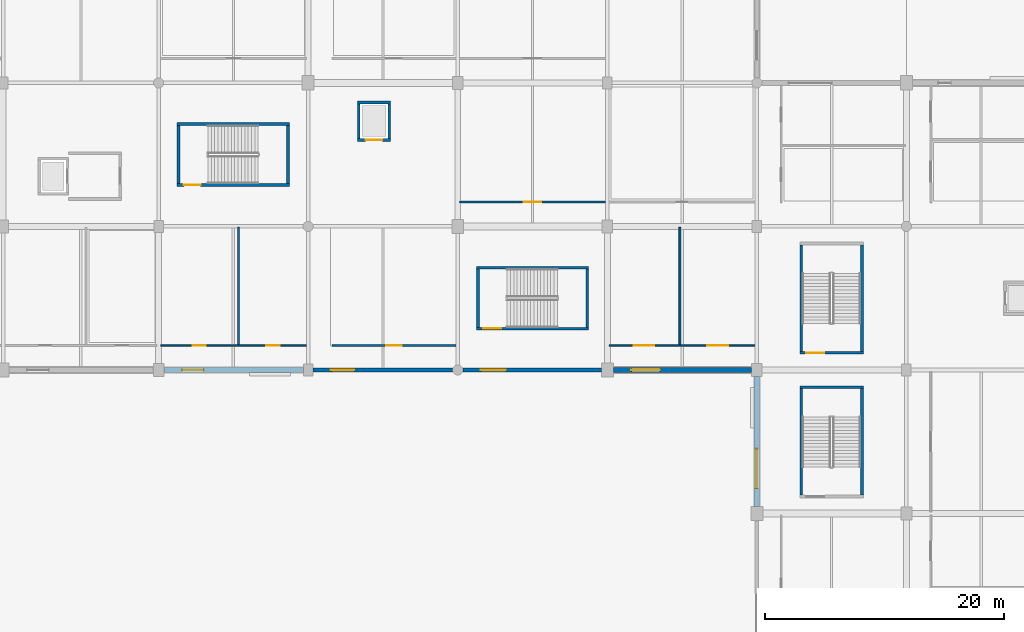
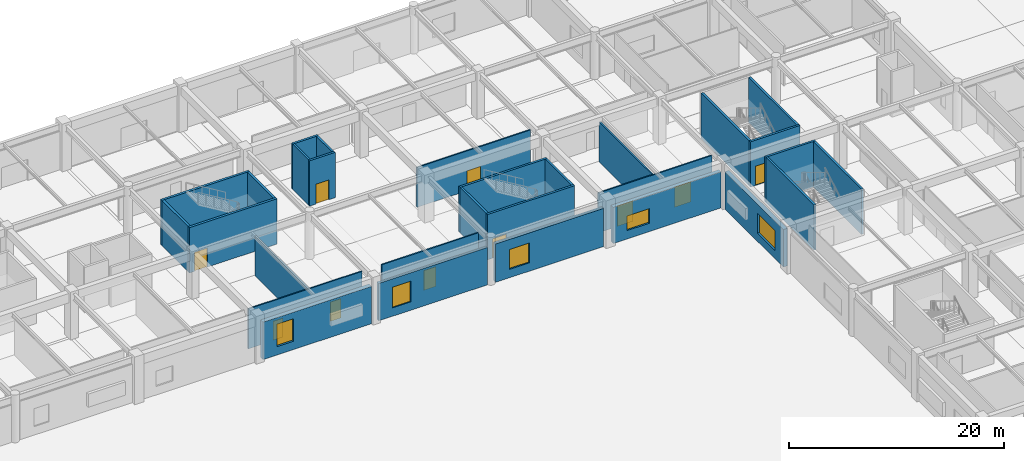
# One storey, part 32 of 69: 29 walls, 10 doors, 5 windows, 15 openings.
"""IFC4 building model written with IfcOpenShell, lengths in metres."""

from ifc_helpers import new_model, si_unit, direction, frame, frame_2d, origin, place, context, subcontext, project, spatial, rectangle, extrude, material, layer, layer_set, type_object, element, fill, save


model = new_model("IFC4")

# Units and contexts
model_context = context("Model", 3, precision=1e-05, world=origin(), true_north=direction((0.0, 1.0)))
body_context = subcontext(model_context, "Body", "Model", "MODEL_VIEW")
ifc_project = project(units=[si_unit("LENGTHUNIT", "METRE"), si_unit("AREAUNIT", "SQUARE_METRE"), si_unit("VOLUMEUNIT", "CUBIC_METRE"), si_unit("PLANEANGLEUNIT", "RADIAN"), si_unit("MASSUNIT", "GRAM", prefix="KILO")], contexts=[model_context])

# Site, building, storey
site_placement = place(None, origin())
site = spatial("IfcSite", under=ifc_project, at=site_placement, CompositionType="ELEMENT")
building_placement = place(site_placement, origin())
building = spatial("IfcBuilding", under=site, at=building_placement, Name="Kazenohara Klinker Stadium", CompositionType="ELEMENT")
storey_placement = place(building_placement, origin())
storey = spatial("IfcBuildingStorey", under=building, at=storey_placement, Name="L00", CompositionType="ELEMENT", Elevation=0.0)

# Wall, opening, door
ifc_material_1 = material(Name="Concrete C40/50", Category="concrete")
ifc_layer_1 = layer(ifc_material_1, 0.22998046875)
ifc_layer_set_1 = layer_set([ifc_layer_1], Name="Concrete C40/50")
wall_type_1 = type_object("IfcWallType", Name="WAL-CORE-230", PredefinedType="SHEAR", material=ifc_layer_set_1)
wall_1_placement = place(storey_placement, frame((178.590087890625, 133.43505859375, 0.0), z_axis=(0.0, 0.0, 1.0), x_axis=(1.0, 0.0, 0.0)))
wall_1 = element("IfcWall", 1, at=wall_1_placement, inside=storey, type_object=wall_type_1, Name="Stairwell shear wall ST12 L00 South", PredefinedType="SHEAR", context=body_context, shape_type="SweptSolid", body=[
    extrude(rectangle(XDim=5.31982421875, YDim=0.22998046875, at=frame_2d((2.659912109375, 0.0))), origin(), (0.0, 0.0, 1.0), 5.139892578125),
])
opening_1_placement = place(wall_1_placement, frame((0.550048828125, 0.0, 0.0)))
opening_1 = element("IfcOpeningElement", 2, at=opening_1_placement, cuts=wall_1, Name="Opening SD02", PredefinedType="OPENING", context=body_context, shape_type="SweptSolid", body=[
    extrude(rectangle(XDim=1.5, YDim=2.199951171875, at=frame_2d((0.75, 1.10009765625))), frame((0.0, 0.125, 0.0), z_axis=(0.0, -1.0, 0.0), x_axis=(1.0, 0.0, 0.0)), (0.0, 0.0, 1.0), 0.25),
])
ifc_material_2 = material(Name="Flush painted steel fire door leaf", Category="steel")
door_type_1 = type_object("IfcDoorType", Name="DR-STR-1500x2200", OperationType="NOTDEFINED", PredefinedType="DOOR", material=ifc_material_2)
door_1_placement = place(opening_1_placement, origin())
door_1 = element("IfcDoor", 3, at=door_1_placement, inside=storey, type_object=door_type_1, Name="Escape stairwell fire door ST12-L00", OperationType="SINGLE_SWING_LEFT", OverallHeight=2.199951171875, OverallWidth=1.5, PredefinedType="DOOR", context=body_context, shape_type="SweptSolid", body=[
    extrude(rectangle(XDim=1.5, YDim=2.199951171875, at=frame_2d((0.75, 1.10009765625))), frame((0.0, 0.02490234375, 0.0), z_axis=(0.0, -1.0, 0.0), x_axis=(1.0, 0.0, 0.0)), (0.0, 0.0, 1.0), 0.050048828125),
])
fill(opening_1, door_1)

# Walls
for number, where, z_axis, x_axis, name in (
    (4, (178.705078125, 133.550048828125, 0.0), (0.0, 0.0, 1.0), (0.0, 1.0, 0.0), "Stairwell shear wall ST12 L00 West"),
    (5, (183.794921875, 133.550048828125, 0.0), (0.0, 0.0, 1.0), (0.0, 1.0, 0.0), "Stairwell shear wall ST12 L00 East"),
):
    element("IfcWall", number, at=place(storey_placement, frame(where, z_axis=z_axis, x_axis=x_axis)), inside=storey, type_object=wall_type_1, Name=name, PredefinedType="SHEAR", context=body_context, shape_type="SweptSolid", body=[
        extrude(rectangle(XDim=8.89990234375, YDim=0.22998046875, at=frame_2d((4.449951171875, 0.0))), origin(), (0.0, 0.0, 1.0), 5.139892578125),
    ])

# Wall, opening, door
wall_2_placement = place(storey_placement, frame((151.570068359375, 135.455078125, 0.0), z_axis=(0.0, 0.0, 1.0), x_axis=(1.0, 0.0, 0.0)))
wall_2 = element("IfcWall", 6, at=wall_2_placement, inside=storey, type_object=wall_type_1, Name="Stairwell shear wall ST20 L00 South", PredefinedType="SHEAR", context=body_context, shape_type="SweptSolid", body=[
    extrude(rectangle(XDim=9.35986328125, YDim=0.22998046875, at=frame_2d((4.679931640625, 0.0))), origin(), (0.0, 0.0, 1.0), 5.139892578125),
])
opening_2_placement = place(wall_2_placement, frame((0.550048828125, 0.0, 0.0)))
opening_2 = element("IfcOpeningElement", 7, at=opening_2_placement, cuts=wall_2, Name="Opening SD02", PredefinedType="OPENING", context=body_context, shape_type="SweptSolid", body=[
    extrude(rectangle(XDim=1.5, YDim=2.199951171875, at=frame_2d((0.75, 1.10009765625))), frame((0.0, 0.125, 0.0), z_axis=(0.0, -1.0, 0.0), x_axis=(1.0, 0.0, 0.0)), (0.0, 0.0, 1.0), 0.25),
])
door_2_placement = place(opening_2_placement, origin())
door_2 = element("IfcDoor", 8, at=door_2_placement, inside=storey, type_object=door_type_1, Name="Escape stairwell fire door ST20-L00", OperationType="SINGLE_SWING_RIGHT", OverallHeight=2.199951171875, OverallWidth=1.5, PredefinedType="DOOR", context=body_context, shape_type="SweptSolid", body=[
    extrude(rectangle(XDim=1.5, YDim=2.199951171875, at=frame_2d((0.75, 1.10009765625))), frame((0.0, 0.02490234375, 0.0), z_axis=(0.0, -1.0, 0.0), x_axis=(1.0, 0.0, 0.0)), (0.0, 0.0, 1.0), 0.050048828125),
])
fill(opening_2, door_2)

# Walls
wall_3_placement = place(storey_placement, frame((151.570068359375, 140.544921875, 0.0), z_axis=(0.0, 0.0, 1.0), x_axis=(1.0, 0.0, 0.0)))
element("IfcWall", 9, at=wall_3_placement, inside=storey, type_object=wall_type_1, Name="Stairwell shear wall ST20 L00 North", PredefinedType="SHEAR", context=body_context, shape_type="SweptSolid", body=[
    extrude(rectangle(XDim=9.35986328125, YDim=0.22998046875, at=frame_2d((4.679931640625, 0.0))), origin(), (0.0, 0.0, 1.0), 5.139892578125),
])
for number, where, z_axis, x_axis, name in (
    (10, (151.68505859375, 135.570068359375, 0.0), (0.0, 0.0, 1.0), (0.0, 1.0, 0.0), "Stairwell shear wall ST20 L00 West"),
    (11, (160.81494140625, 135.570068359375, 0.0), (0.0, 0.0, 1.0), (0.0, 1.0, 0.0), "Stairwell shear wall ST20 L00 East"),
):
    element("IfcWall", number, at=place(storey_placement, frame(where, z_axis=z_axis, x_axis=x_axis)), inside=storey, type_object=wall_type_1, Name=name, PredefinedType="SHEAR", context=body_context, shape_type="SweptSolid", body=[
        extrude(rectangle(XDim=4.85986328125, YDim=0.22998046875, at=frame_2d((2.429931640625, 0.0))), origin(), (0.0, 0.0, 1.0), 5.139892578125),
    ])
wall_4_placement = place(storey_placement, frame((178.590087890625, 130.56494140625, 0.0), z_axis=(0.0, 0.0, 1.0), x_axis=(1.0, 0.0, 0.0)))
element("IfcWall", 12, at=wall_4_placement, inside=storey, type_object=wall_type_1, Name="Stairwell shear wall ST24 L00 North", PredefinedType="SHEAR", context=body_context, shape_type="SweptSolid", body=[
    extrude(rectangle(XDim=5.31982421875, YDim=0.22998046875, at=frame_2d((2.659912109375, 0.0))), origin(), (0.0, 0.0, 1.0), 5.139892578125),
])
for number, where, z_axis, x_axis, name in (
    (13, (178.705078125, 121.550048828125, 0.0), (0.0, 0.0, 1.0), (0.0, 1.0, 0.0), "Stairwell shear wall ST24 L00 West"),
    (14, (183.794921875, 121.550048828125, 0.0), (0.0, 0.0, 1.0), (0.0, 1.0, 0.0), "Stairwell shear wall ST24 L00 East"),
):
    element("IfcWall", number, at=place(storey_placement, frame(where, z_axis=z_axis, x_axis=x_axis)), inside=storey, type_object=wall_type_1, Name=name, PredefinedType="SHEAR", context=body_context, shape_type="SweptSolid", body=[
        extrude(rectangle(XDim=8.89990234375, YDim=0.22998046875, at=frame_2d((4.449951171875, 0.0))), origin(), (0.0, 0.0, 1.0), 5.139892578125),
    ])

# Wall, opening, door
wall_5_placement = place(storey_placement, frame((141.6201171875, 151.235107421875, 0.0), z_axis=(0.0, 0.0, 1.0), x_axis=(1.0, 0.0, 0.0)))
wall_5 = element("IfcWall", 15, at=wall_5_placement, inside=storey, type_object=wall_type_1, Name="Elevator shaft wall LG02 L00 South", PredefinedType="SHEAR", context=body_context, shape_type="SweptSolid", body=[
    extrude(rectangle(XDim=2.759765625, YDim=0.22998046875, at=frame_2d((1.3798828125, 0.0))), origin(), (0.0, 0.0, 1.0), 5.139892578125),
])
opening_3_placement = place(wall_5_placement, frame((0.679931640625, 0.0, 0.0)))
opening_3 = element("IfcOpeningElement", 16, at=opening_3_placement, cuts=wall_5, Name="Opening LD03", PredefinedType="OPENING", context=body_context, shape_type="SweptSolid", body=[
    extrude(rectangle(XDim=1.39990234375, YDim=2.25, at=frame_2d((0.699951171875, 1.125))), frame((0.0, 0.125, 0.0), z_axis=(0.0, -1.0, 0.0), x_axis=(1.0, 0.0, 0.0)), (0.0, 0.0, 1.0), 0.25),
])
ifc_material_3 = material(Name="Heavy-duty stainless steel sliding goods landing door", Category="steel")
door_type_2 = type_object("IfcDoorType", Name="DR-LD03-1400x2250", OperationType="NOTDEFINED", PredefinedType="DOOR", material=ifc_material_3)
door_3_placement = place(opening_3_placement, origin())
door_3 = element("IfcDoor", 17, at=door_3_placement, inside=storey, type_object=door_type_2, Name="Elevator sliding landing door LG02-L00", OperationType="DOUBLE_DOOR_SLIDING", OverallHeight=2.25, OverallWidth=1.39990234375, PredefinedType="DOOR", context=body_context, shape_type="SweptSolid", body=[
    extrude(rectangle(XDim=1.39990234375, YDim=2.25, at=frame_2d((0.699951171875, 1.125))), frame((0.0, 0.02490234375, 0.0), z_axis=(0.0, -1.0, 0.0), x_axis=(1.0, 0.0, 0.0)), (0.0, 0.0, 1.0), 0.050048828125),
])
fill(opening_3, door_3)

# Walls
wall_6_placement = place(storey_placement, frame((141.6201171875, 154.364990234375, 0.0), z_axis=(0.0, 0.0, 1.0), x_axis=(1.0, 0.0, 0.0)))
element("IfcWall", 18, at=wall_6_placement, inside=storey, type_object=wall_type_1, Name="Elevator shaft wall LG02 L00 North", PredefinedType="SHEAR", context=body_context, shape_type="SweptSolid", body=[
    extrude(rectangle(XDim=2.759765625, YDim=0.22998046875, at=frame_2d((1.3798828125, 0.0))), origin(), (0.0, 0.0, 1.0), 5.139892578125),
])
for number, where, z_axis, x_axis, name in (
    (19, (141.735107421875, 151.35009765625, 0.0), (0.0, 0.0, 1.0), (0.0, 1.0, 0.0), "Elevator shaft wall LG02 L00 West"),
    (20, (144.264892578125, 151.35009765625, 0.0), (0.0, 0.0, 1.0), (0.0, 1.0, 0.0), "Elevator shaft wall LG02 L00 East"),
):
    element("IfcWall", number, at=place(storey_placement, frame(where, z_axis=z_axis, x_axis=x_axis)), inside=storey, type_object=wall_type_1, Name=name, PredefinedType="SHEAR", context=body_context, shape_type="SweptSolid", body=[
        extrude(rectangle(XDim=2.89990234375, YDim=0.22998046875, at=frame_2d((1.449951171875, 0.0))), origin(), (0.0, 0.0, 1.0), 5.139892578125),
    ])

# Wall, opening, door
ifc_layer_2 = layer(ifc_material_1, 0.25)
ifc_layer_set_2 = layer_set([ifc_layer_2], Name="Concrete C40/50")
wall_type_2 = type_object("IfcWallType", Name="WAL-CORE-250", PredefinedType="SHEAR", material=ifc_layer_set_2)
wall_7_placement = place(storey_placement, frame((126.550048828125, 147.455078125, 0.0), z_axis=(0.0, 0.0, 1.0), x_axis=(1.0, 0.0, 0.0)))
wall_7 = element("IfcWall", 21, at=wall_7_placement, inside=storey, type_object=wall_type_2, Name="Stairwell shear wall ST11 L00 South", PredefinedType="SHEAR", context=body_context, shape_type="SweptSolid", body=[
    extrude(rectangle(XDim=9.39990234375, YDim=0.25, at=frame_2d((4.699951171875, 0.0))), origin(), (0.0, 0.0, 1.0), 5.139892578125),
])
opening_4_placement = place(wall_7_placement, frame((0.550048828125, 0.0, 0.0)))
opening_4 = element("IfcOpeningElement", 22, at=opening_4_placement, cuts=wall_7, Name="Opening SD01", PredefinedType="OPENING", context=body_context, shape_type="SweptSolid", body=[
    extrude(rectangle(XDim=1.39990234375, YDim=2.14990234375, at=frame_2d((0.699951171875, 1.074951171875))), frame((0.0, 0.135009765625, 0.0), z_axis=(0.0, -1.0, 0.0), x_axis=(1.0, 0.0, 0.0)), (0.0, 0.0, 1.0), 0.27001953125),
])
door_type_3 = type_object("IfcDoorType", Name="DR-STR-1400x2150", OperationType="NOTDEFINED", PredefinedType="DOOR", material=ifc_material_2)
door_4_placement = place(opening_4_placement, origin())
door_4 = element("IfcDoor", 23, at=door_4_placement, inside=storey, type_object=door_type_3, Name="Escape stairwell fire door ST11-L00", OperationType="SINGLE_SWING_RIGHT", OverallHeight=2.14990234375, OverallWidth=1.39990234375, PredefinedType="DOOR", context=body_context, shape_type="SweptSolid", body=[
    extrude(rectangle(XDim=1.39990234375, YDim=2.14990234375, at=frame_2d((0.699951171875, 1.074951171875))), frame((0.0, 0.02490234375, 0.0), z_axis=(0.0, -1.0, 0.0), x_axis=(1.0, 0.0, 0.0)), (0.0, 0.0, 1.0), 0.050048828125),
])
fill(opening_4, door_4)

# Walls
wall_8_placement = place(storey_placement, frame((126.550048828125, 152.544921875, 0.0), z_axis=(0.0, 0.0, 1.0), x_axis=(1.0, 0.0, 0.0)))
element("IfcWall", 24, at=wall_8_placement, inside=storey, type_object=wall_type_2, Name="Stairwell shear wall ST11 L00 North", PredefinedType="SHEAR", context=body_context, shape_type="SweptSolid", body=[
    extrude(rectangle(XDim=9.39990234375, YDim=0.25, at=frame_2d((4.699951171875, 0.0))), origin(), (0.0, 0.0, 1.0), 5.139892578125),
])
for number, where, z_axis, x_axis, name in (
    (25, (126.675048828125, 147.580078125, 0.0), (0.0, 0.0, 1.0), (0.0, 1.0, 0.0), "Stairwell shear wall ST11 L00 West"),
    (26, (135.824951171875, 147.580078125, 0.0), (0.0, 0.0, 1.0), (0.0, 1.0, 0.0), "Stairwell shear wall ST11 L00 East"),
):
    element("IfcWall", number, at=place(storey_placement, frame(where, z_axis=z_axis, x_axis=x_axis)), inside=storey, type_object=wall_type_2, Name=name, PredefinedType="SHEAR", context=body_context, shape_type="SweptSolid", body=[
        extrude(rectangle(XDim=4.83984375, YDim=0.25, at=frame_2d((2.419921875, 0.0))), origin(), (0.0, 0.0, 1.0), 5.139892578125),
    ])

# Wall, opening, window
ifc_material_4 = material(Name="Clinker brick masonry", Category="masonry")
ifc_layer_3 = layer(ifc_material_4, 0.31005859375)
ifc_layer_set_3 = layer_set([ifc_layer_3], Name="Clinker brick masonry")
wall_type_3 = type_object("IfcWallType", Name="WAL-EXT-CB310", PredefinedType="SOLIDWALL", material=ifc_layer_set_3)
wall_9_placement = place(storey_placement, frame((137.904052734375, 132.0, 0.0), z_axis=(0.0, 0.0, 1.0), x_axis=(1.0, 0.0, 0.0)))
wall_9 = element("IfcWall", 27, at=wall_9_placement, inside=storey, type_object=wall_type_3, Name="Clinker brick cavity wall EW05 L00 X11-11", PredefinedType="SOLIDWALL", context=body_context, shape_type="SweptSolid", body=[
    extrude(rectangle(XDim=11.6669921875, YDim=0.31005859375, at=frame_2d((5.83349609375, 0.0))), origin(), (0.0, 0.0, 1.0), 4.239990234375),
])
opening_5_placement = place(wall_9_placement, frame((1.5, 0.0, 0.949951171875)))
opening_5 = element("IfcOpeningElement", 28, at=opening_5_placement, cuts=wall_9, Name="Opening W17", PredefinedType="OPENING", context=body_context, shape_type="SweptSolid", body=[
    extrude(rectangle(XDim=1.949951171875, YDim=2.35009765625, at=frame_2d((0.97509765625, 1.175048828125))), frame((0.0, 0.1650390625, 0.0), z_axis=(0.0, -1.0, 0.0), x_axis=(1.0, 0.0, 0.0)), (0.0, 0.0, 1.0), 0.330078125),
])
ifc_material_5 = material(Name="Dark bronze aluminium frame and triple glazing", Category="aluminium")
window_type_1 = type_object("IfcWindowType", Name="WIN-AS-17", PartitioningType="SINGLE_PANEL", PredefinedType="WINDOW", material=ifc_material_5)
window_1_placement = place(opening_5_placement, origin())
window_1 = element("IfcWindow", 29, at=window_1_placement, inside=storey, type_object=window_type_1, Name="Horizontal-mullion ladder window W17 L00 X11-11", OverallHeight=2.35009765625, OverallWidth=1.949951171875, PartitioningType="SINGLE_PANEL", PredefinedType="WINDOW", context=body_context, shape_type="SweptSolid", body=[
    extrude(rectangle(XDim=1.949951171875, YDim=2.35009765625, at=frame_2d((0.97509765625, 1.175048828125))), frame((0.0, 0.030029296875, 0.0), z_axis=(0.0, -1.0, 0.0), x_axis=(1.0, 0.0, 0.0)), (0.0, 0.0, 1.0), 0.06005859375),
])
fill(opening_5, window_1)

ifc_layer_4 = layer(ifc_material_4, 0.3701171875)
ifc_layer_set_4 = layer_set([ifc_layer_4], Name="Clinker brick masonry")
wall_type_4 = type_object("IfcWallType", Name="WAL-EXT-CB370", PredefinedType="SOLIDWALL", material=ifc_layer_set_4)
wall_10_placement = place(storey_placement, frame((150.428955078125, 132.0, 0.0), z_axis=(0.0, 0.0, 1.0), x_axis=(1.0, 0.0, 0.0)))
wall_10 = element("IfcWall", 30, at=wall_10_placement, inside=storey, type_object=wall_type_4, Name="Clinker brick cavity wall EW03 L00 X12-11", PredefinedType="SOLIDWALL", context=body_context, shape_type="SweptSolid", body=[
    extrude(rectangle(XDim=11.567138671875, YDim=0.3701171875, at=frame_2d((5.78369140625, 0.0))), origin(), (0.0, 0.0, 1.0), 4.340087890625),
])
opening_6_placement = place(wall_10_placement, frame((1.5, 0.0, 0.949951171875)))
opening_6 = element("IfcOpeningElement", 31, at=opening_6_placement, cuts=wall_10, Name="Opening W19", PredefinedType="OPENING", context=body_context, shape_type="SweptSolid", body=[
    extrude(rectangle(XDim=2.10009765625, YDim=2.25, at=frame_2d((1.050048828125, 1.125))), frame((0.0, 0.195068359375, 0.0), z_axis=(0.0, -1.0, 0.0), x_axis=(1.0, 0.0, 0.0)), (0.0, 0.0, 1.0), 0.39013671875),
])
window_type_2 = type_object("IfcWindowType", Name="WIN-AS-19", PartitioningType="SINGLE_PANEL", PredefinedType="WINDOW", material=ifc_material_5)
window_2_placement = place(opening_6_placement, origin())
window_2 = element("IfcWindow", 32, at=window_2_placement, inside=storey, type_object=window_type_2, Name="Horizontal-mullion ladder window W19 L00 X12-11", OverallHeight=2.25, OverallWidth=2.10009765625, PartitioningType="SINGLE_PANEL", PredefinedType="WINDOW", context=body_context, shape_type="SweptSolid", body=[
    extrude(rectangle(XDim=2.10009765625, YDim=2.25, at=frame_2d((1.050048828125, 1.125))), frame((0.0, 0.030029296875, 0.0), z_axis=(0.0, -1.0, 0.0), x_axis=(1.0, 0.0, 0.0)), (0.0, 0.0, 1.0), 0.06005859375),
])
fill(opening_6, window_2)

ifc_layer_5 = layer(ifc_material_4, 0.409912109375)
ifc_layer_set_5 = layer_set([ifc_layer_5], Name="Clinker brick masonry")
wall_type_5 = type_object("IfcWallType", Name="WAL-EXT-CB410", PredefinedType="SOLIDWALL", material=ifc_layer_set_5)
wall_11_placement = place(storey_placement, frame((163.00390625, 132.0, 0.0), z_axis=(0.0, 0.0, 1.0), x_axis=(1.0, 0.0, 0.0)))
wall_11 = element("IfcWall", 33, at=wall_11_placement, inside=storey, type_object=wall_type_5, Name="Clinker brick cavity wall EW02 L00 X13-11", PredefinedType="SOLIDWALL", context=body_context, shape_type="SweptSolid", body=[
    extrude(rectangle(XDim=11.5419921875, YDim=0.409912109375, at=frame_2d((5.77099609375, 0.0))), origin(), (0.0, 0.0, 1.0), 4.090087890625),
])
opening_7_placement = place(wall_11_placement, frame((1.5, 0.0, 0.949951171875)))
opening_7 = element("IfcOpeningElement", 34, at=opening_7_placement, cuts=wall_11, Name="Opening W23", PredefinedType="OPENING", context=body_context, shape_type="SweptSolid", body=[
    extrude(rectangle(XDim=2.39990234375, YDim=1.64990234375, at=frame_2d((1.199951171875, 0.824951171875))), frame((0.0, 0.21484375, 0.0), z_axis=(0.0, -1.0, 0.0), x_axis=(1.0, 0.0, 0.0)), (0.0, 0.0, 1.0), 0.429931640625),
])
window_type_3 = type_object("IfcWindowType", Name="WIN-AS-23", PartitioningType="SINGLE_PANEL", PredefinedType="WINDOW", material=ifc_material_5)
window_3_placement = place(opening_7_placement, origin())
window_3 = element("IfcWindow", 35, at=window_3_placement, inside=storey, type_object=window_type_3, Name="Horizontal-mullion ladder window W23 L00 X13-11", OverallHeight=1.64990234375, OverallWidth=2.39990234375, PartitioningType="SINGLE_PANEL", PredefinedType="WINDOW", context=body_context, shape_type="SweptSolid", body=[
    extrude(rectangle(XDim=2.39990234375, YDim=1.64990234375, at=frame_2d((1.199951171875, 0.824951171875))), frame((0.0, 0.030029296875, 0.0), z_axis=(0.0, -1.0, 0.0), x_axis=(1.0, 0.0, 0.0)), (0.0, 0.0, 1.0), 0.06005859375),
])
fill(opening_7, window_3)

ifc_layer_6 = layer(ifc_material_4, 0.449951171875)
ifc_layer_set_6 = layer_set([ifc_layer_6], Name="Clinker brick masonry")
wall_type_6 = type_object("IfcWallType", Name="WAL-EXT-CB450", PredefinedType="SOLIDWALL", material=ifc_layer_set_6)
wall_12_placement = place(storey_placement, frame((125.4541015625, 132.0, 0.0), z_axis=(0.0, 0.0, 1.0), x_axis=(1.0, 0.0, 0.0)))
wall_12 = element("IfcWall", 36, at=wall_12_placement, inside=storey, type_object=wall_type_6, Name="Clinker brick cavity wall EW01 L00 X10-11", PredefinedType="SOLIDWALL", context=body_context, shape_type="SweptSolid", body=[
    extrude(rectangle(XDim=11.641845703125, YDim=0.449951171875, at=frame_2d((5.82080078125, 0.0))), origin(), (0.0, 0.0, 1.0), 4.239990234375),
])
opening_8_placement = place(wall_12_placement, frame((1.5, 0.0, 0.949951171875)))
opening_8 = element("IfcOpeningElement", 37, at=opening_8_placement, cuts=wall_12, Name="Opening W15", PredefinedType="OPENING", context=body_context, shape_type="SweptSolid", body=[
    extrude(rectangle(XDim=1.800048828125, YDim=2.550048828125, at=frame_2d((0.89990234375, 1.27490234375))), frame((0.0, 0.23486328125, 0.0), z_axis=(0.0, -1.0, 0.0), x_axis=(1.0, 0.0, 0.0)), (0.0, 0.0, 1.0), 0.469970703125),
])
window_type_4 = type_object("IfcWindowType", Name="WIN-AS-15", PartitioningType="SINGLE_PANEL", PredefinedType="WINDOW", material=ifc_material_5)
window_4_placement = place(opening_8_placement, origin())
window_4 = element("IfcWindow", 38, at=window_4_placement, inside=storey, type_object=window_type_4, Name="Horizontal-mullion ladder window W15 L00 X10-11", OverallHeight=2.550048828125, OverallWidth=1.800048828125, PartitioningType="SINGLE_PANEL", PredefinedType="WINDOW", context=body_context, shape_type="SweptSolid", body=[
    extrude(rectangle(XDim=1.800048828125, YDim=2.550048828125, at=frame_2d((0.89990234375, 1.27490234375))), frame((0.0, 0.030029296875, 0.0), z_axis=(0.0, -1.0, 0.0), x_axis=(1.0, 0.0, 0.0)), (0.0, 0.0, 1.0), 0.06005859375),
])
fill(opening_8, window_4)

wall_13_placement = place(storey_placement, frame((175.0, 120.60400390625, 0.0), z_axis=(0.0, 0.0, 1.0), x_axis=(0.0, 1.0, 0.0)))
wall_13 = element("IfcWall", 39, at=wall_13_placement, inside=storey, type_object=wall_type_6, Name="Clinker brick cavity wall EW01 L00 Y14-10", PredefinedType="SOLIDWALL", context=body_context, shape_type="SweptSolid", body=[
    extrude(rectangle(XDim=10.842041015625, YDim=0.449951171875, at=frame_2d((5.4208984375, 0.0))), origin(), (0.0, 0.0, 1.0), 4.239990234375),
])
opening_9_placement = place(wall_13_placement, frame((1.5, 0.0, 0.949951171875)))
opening_9 = element("IfcOpeningElement", 40, at=opening_9_placement, cuts=wall_13, Name="Opening W34", PredefinedType="OPENING", context=body_context, shape_type="SweptSolid", body=[
    extrude(rectangle(XDim=3.300048828125, YDim=2.25, at=frame_2d((1.64990234375, 1.125))), frame((0.0, 0.23486328125, 0.0), z_axis=(0.0, -1.0, 0.0), x_axis=(1.0, 0.0, 0.0)), (0.0, 0.0, 1.0), 0.469970703125),
])
window_type_5 = type_object("IfcWindowType", Name="WIN-AS-34", PartitioningType="SINGLE_PANEL", PredefinedType="WINDOW", material=ifc_material_5)
window_5_placement = place(opening_9_placement, origin())
window_5 = element("IfcWindow", 41, at=window_5_placement, inside=storey, type_object=window_type_5, Name="Horizontal-mullion ladder window W34 L00 Y14-10", OverallHeight=2.25, OverallWidth=3.300048828125, PartitioningType="SINGLE_PANEL", PredefinedType="WINDOW", context=body_context, shape_type="SweptSolid", body=[
    extrude(rectangle(XDim=3.300048828125, YDim=2.25, at=frame_2d((1.64990234375, 1.125))), frame((0.0, 0.030029296875, 0.0), z_axis=(0.0, -1.0, 0.0), x_axis=(1.0, 0.0, 0.0)), (0.0, 0.0, 1.0), 0.06005859375),
])
fill(opening_9, window_5)

# Wall, openings, doors
ifc_material_6 = material(Name="Fire-rated gypsum board on acoustic studs", Category="gypsum")
ifc_layer_7 = layer(ifc_material_6, 0.139892578125)
ifc_layer_set_7 = layer_set([ifc_layer_7], Name="Fire-rated gypsum board on acoustic studs")
wall_type_7 = type_object("IfcWallType", Name="WAL-INT-P140", PredefinedType="PARTITIONING", material=ifc_layer_set_7)
wall_14_placement = place(storey_placement, frame((125.159912109375, 134.0400390625, 0.0), z_axis=(0.0, 0.0, 1.0), x_axis=(1.0, 0.0, 0.0)))
wall_14 = element("IfcWall", 42, at=wall_14_placement, inside=storey, type_object=wall_type_7, Name="Interior partition wall PT03 SPC-L00-10-11-1-1", PredefinedType="PARTITIONING", context=body_context, shape_type="SweptSolid", body=[
    extrude(rectangle(XDim=12.18017578125, YDim=0.139892578125, at=frame_2d((6.090087890625, 0.0))), origin(), (0.0, 0.0, 1.0), 4.52001953125),
])
opening_10_placement = place(wall_14_placement, frame((2.673095703125, 0.0, 0.0)))
opening_10 = element("IfcOpeningElement", 43, at=opening_10_placement, cuts=wall_14, Name="Opening ID08", PredefinedType="OPENING", context=body_context, shape_type="SweptSolid", body=[
    extrude(rectangle(XDim=1.090087890625, YDim=2.159912109375, at=frame_2d((0.544921875, 1.080078125))), frame((0.0, 0.080078125, 0.0), z_axis=(0.0, -1.0, 0.0), x_axis=(1.0, 0.0, 0.0)), (0.0, 0.0, 1.0), 0.159912109375),
])
opening_11_placement = place(wall_14_placement, frame((8.828125, 0.0, 0.0)))
opening_11 = element("IfcOpeningElement", 44, at=opening_11_placement, cuts=wall_14, Name="Opening ID09", PredefinedType="OPENING", context=body_context, shape_type="SweptSolid", body=[
    extrude(rectangle(XDim=1.1201171875, YDim=2.179931640625, at=frame_2d((0.56005859375, 1.08984375))), frame((0.0, 0.080078125, 0.0), z_axis=(0.0, -1.0, 0.0), x_axis=(1.0, 0.0, 0.0)), (0.0, 0.0, 1.0), 0.159912109375),
])
ifc_material_7 = material(Name="Solid-core Hokkaido oak fire door", Category="wood")
door_type_4 = type_object("IfcDoorType", Name="DR-INT-08", OperationType="NOTDEFINED", PredefinedType="DOOR", material=ifc_material_7)
door_5_placement = place(opening_10_placement, origin())
door_5 = element("IfcDoor", 45, at=door_5_placement, inside=storey, type_object=door_type_4, Name="Interior door ID08 Civic Stadium Heritage Museum Exhibition Gallery L00-1011A", OperationType="SINGLE_SWING_LEFT", OverallHeight=2.159912109375, OverallWidth=1.090087890625, PredefinedType="DOOR", context=body_context, shape_type="SweptSolid", body=[
    extrude(rectangle(XDim=1.090087890625, YDim=2.159912109375, at=frame_2d((0.544921875, 1.080078125))), frame((0.0, 0.02490234375, 0.0), z_axis=(0.0, -1.0, 0.0), x_axis=(1.0, 0.0, 0.0)), (0.0, 0.0, 1.0), 0.050048828125),
])
fill(opening_10, door_5)
door_type_5 = type_object("IfcDoorType", Name="DR-INT-09", OperationType="NOTDEFINED", PredefinedType="DOOR", material=ifc_material_7)
door_6_placement = place(opening_11_placement, origin())
door_6 = element("IfcDoor", 46, at=door_6_placement, inside=storey, type_object=door_type_5, Name="Interior door ID09 Street-Front Bakery and Cafe Restaurant L00-1011B", OperationType="SINGLE_SWING_RIGHT", OverallHeight=2.179931640625, OverallWidth=1.1201171875, PredefinedType="DOOR", context=body_context, shape_type="SweptSolid", body=[
    extrude(rectangle(XDim=1.1201171875, YDim=2.179931640625, at=frame_2d((0.56005859375, 1.08984375))), frame((0.0, 0.02490234375, 0.0), z_axis=(0.0, -1.0, 0.0), x_axis=(1.0, 0.0, 0.0)), (0.0, 0.0, 1.0), 0.050048828125),
])
fill(opening_11, door_6)

# Wall, opening, door
wall_15_placement = place(storey_placement, frame((150.159912109375, 146.0400390625, 0.0), z_axis=(0.0, 0.0, 1.0), x_axis=(1.0, 0.0, 0.0)))
wall_15 = element("IfcWall", 47, at=wall_15_placement, inside=storey, type_object=wall_type_7, Name="Interior partition wall PT03 SPC-L00-12-12-1-1", PredefinedType="PARTITIONING", context=body_context, shape_type="SweptSolid", body=[
    extrude(rectangle(XDim=12.18017578125, YDim=0.139892578125, at=frame_2d((6.090087890625, 0.0))), origin(), (0.0, 0.0, 1.0), 4.52001953125),
])
opening_12_placement = place(wall_15_placement, frame((5.3701171875, 0.0, 0.0)))
opening_12 = element("IfcOpeningElement", 48, at=opening_12_placement, cuts=wall_15, Name="Opening ID19", PredefinedType="OPENING", context=body_context, shape_type="SweptSolid", body=[
    extrude(rectangle(XDim=1.43994140625, YDim=2.260009765625, at=frame_2d((0.719970703125, 1.1298828125))), frame((0.0, 0.080078125, 0.0), z_axis=(0.0, -1.0, 0.0), x_axis=(1.0, 0.0, 0.0)), (0.0, 0.0, 1.0), 0.159912109375),
])
ifc_material_8 = material(Name="Painted steel plant fire door", Category="steel")
door_type_6 = type_object("IfcDoorType", Name="DR-INT-19", OperationType="NOTDEFINED", PredefinedType="DOOR", material=ifc_material_8)
door_7_placement = place(opening_12_placement, origin())
door_7 = element("IfcDoor", 49, at=door_7_placement, inside=storey, type_object=door_type_6, Name="Interior door ID19 Civic Stadium Heritage Museum Exhibition Gallery L00-1212A", OperationType="SINGLE_SWING_RIGHT", OverallHeight=2.260009765625, OverallWidth=1.43994140625, PredefinedType="DOOR", context=body_context, shape_type="SweptSolid", body=[
    extrude(rectangle(XDim=1.43994140625, YDim=2.260009765625, at=frame_2d((0.719970703125, 1.1298828125))), frame((0.0, 0.02490234375, 0.0), z_axis=(0.0, -1.0, 0.0), x_axis=(1.0, 0.0, 0.0)), (0.0, 0.0, 1.0), 0.050048828125),
])
fill(opening_12, door_7)

# Wall, openings, doors
wall_16_placement = place(storey_placement, frame((162.659912109375, 134.0400390625, 0.0), z_axis=(0.0, 0.0, 1.0), x_axis=(1.0, 0.0, 0.0)))
wall_16 = element("IfcWall", 50, at=wall_16_placement, inside=storey, type_object=wall_type_7, Name="Interior partition wall PT03 SPC-L00-13-11-1-1", PredefinedType="PARTITIONING", context=body_context, shape_type="SweptSolid", body=[
    extrude(rectangle(XDim=12.18017578125, YDim=0.139892578125, at=frame_2d((6.090087890625, 0.0))), origin(), (0.0, 0.0, 1.0), 4.52001953125),
])
opening_13_placement = place(wall_16_placement, frame((2.063720703125, 0.0, 0.0)))
opening_13 = element("IfcOpeningElement", 51, at=opening_13_placement, cuts=wall_16, Name="Opening ID25", PredefinedType="OPENING", context=body_context, shape_type="SweptSolid", body=[
    extrude(rectangle(XDim=1.699951171875, YDim=2.320068359375, at=frame_2d((0.85009765625, 1.16015625))), frame((0.0, 0.080078125, 0.0), z_axis=(0.0, -1.0, 0.0), x_axis=(1.0, 0.0, 0.0)), (0.0, 0.0, 1.0), 0.159912109375),
])
opening_14_placement = place(wall_16_placement, frame((8.20361328125, 0.0, 0.0)))
opening_14 = element("IfcOpeningElement", 52, at=opening_14_placement, cuts=wall_16, Name="Opening ID26", PredefinedType="OPENING", context=body_context, shape_type="SweptSolid", body=[
    extrude(rectangle(XDim=1.760009765625, YDim=2.300048828125, at=frame_2d((0.8798828125, 1.14990234375))), frame((0.0, 0.080078125, 0.0), z_axis=(0.0, -1.0, 0.0), x_axis=(1.0, 0.0, 0.0)), (0.0, 0.0, 1.0), 0.159912109375),
])
door_type_7 = type_object("IfcDoorType", Name="DR-INT-25", OperationType="NOTDEFINED", PredefinedType="DOOR", material=ifc_material_8)
door_8_placement = place(opening_13_placement, origin())
door_8 = element("IfcDoor", 53, at=door_8_placement, inside=storey, type_object=door_type_7, Name="Interior door ID25 Spectator First-Aid Medical Clinic L00-1311A", OperationType="SINGLE_SWING_RIGHT", OverallHeight=2.320068359375, OverallWidth=1.699951171875, PredefinedType="DOOR", context=body_context, shape_type="SweptSolid", body=[
    extrude(rectangle(XDim=1.699951171875, YDim=2.320068359375, at=frame_2d((0.85009765625, 1.16015625))), frame((0.0, 0.02490234375, 0.0), z_axis=(0.0, -1.0, 0.0), x_axis=(1.0, 0.0, 0.0)), (0.0, 0.0, 1.0), 0.050048828125),
])
fill(opening_13, door_8)
door_type_8 = type_object("IfcDoorType", Name="DR-INT-26", OperationType="NOTDEFINED", PredefinedType="DOOR", material=ifc_material_8)
door_9_placement = place(opening_14_placement, origin())
door_9 = element("IfcDoor", 54, at=door_9_placement, inside=storey, type_object=door_type_8, Name="Interior door ID26 Winter-Garden Retail Galleria Boutique L00-1311B", OperationType="SINGLE_SWING_LEFT", OverallHeight=2.300048828125, OverallWidth=1.760009765625, PredefinedType="DOOR", context=body_context, shape_type="SweptSolid", body=[
    extrude(rectangle(XDim=1.760009765625, YDim=2.300048828125, at=frame_2d((0.8798828125, 1.14990234375))), frame((0.0, 0.02490234375, 0.0), z_axis=(0.0, -1.0, 0.0), x_axis=(1.0, 0.0, 0.0)), (0.0, 0.0, 1.0), 0.050048828125),
])
fill(opening_14, door_9)

# Wall
ifc_layer_8 = layer(ifc_material_6, 0.14990234375)
ifc_layer_set_8 = layer_set([ifc_layer_8], Name="Fire-rated gypsum board on acoustic studs")
wall_type_8 = type_object("IfcWallType", Name="WAL-INT-P150", PredefinedType="PARTITIONING", material=ifc_layer_set_8)
wall_17_placement = place(storey_placement, frame((131.67626953125, 134.114990234375, 0.0), z_axis=(0.0, 0.0, 1.0), x_axis=(0.0, 1.0, 0.0)))
element("IfcWall", 55, at=wall_17_placement, inside=storey, type_object=wall_type_8, Name="Interior partition wall PT04 SPC-L00-10-11-1-2", PredefinedType="PARTITIONING", context=body_context, shape_type="SweptSolid", body=[
    extrude(rectangle(XDim=9.804931640625, YDim=0.14990234375, at=frame_2d((4.90234375, 0.0))), origin(), (0.0, 0.0, 1.0), 4.52001953125),
])

# Wall, opening, door
wall_18_placement = place(storey_placement, frame((139.469970703125, 134.0400390625, 0.0), z_axis=(0.0, 0.0, 1.0), x_axis=(1.0, 0.0, 0.0)))
wall_18 = element("IfcWall", 56, at=wall_18_placement, inside=storey, type_object=wall_type_8, Name="Interior partition wall PT04 SPC-L00-11-11-1-1", PredefinedType="PARTITIONING", context=body_context, shape_type="SweptSolid", body=[
    extrude(rectangle(XDim=10.3701171875, YDim=0.14990234375, at=frame_2d((5.18505859375, 0.0))), origin(), (0.0, 0.0, 1.0), 4.52001953125),
])
opening_15_placement = place(wall_18_placement, frame((4.534912109375, 0.0, 0.0)))
opening_15 = element("IfcOpeningElement", 57, at=opening_15_placement, cuts=wall_18, Name="Opening ID15", PredefinedType="OPENING", context=body_context, shape_type="SweptSolid", body=[
    extrude(rectangle(XDim=1.300048828125, YDim=2.239990234375, at=frame_2d((0.64990234375, 1.1201171875))), frame((0.0, 0.0849609375, 0.0), z_axis=(0.0, -1.0, 0.0), x_axis=(1.0, 0.0, 0.0)), (0.0, 0.0, 1.0), 0.169921875),
])
door_type_9 = type_object("IfcDoorType", Name="DR-INT-15", OperationType="NOTDEFINED", PredefinedType="DOOR", material=ifc_material_7)
door_10_placement = place(opening_15_placement, origin())
door_10 = element("IfcDoor", 58, at=door_10_placement, inside=storey, type_object=door_type_9, Name="Interior door ID15 Spectator First-Aid Medical Clinic L00-1111A", OperationType="SINGLE_SWING_RIGHT", OverallHeight=2.239990234375, OverallWidth=1.300048828125, PredefinedType="DOOR", context=body_context, shape_type="SweptSolid", body=[
    extrude(rectangle(XDim=1.300048828125, YDim=2.239990234375, at=frame_2d((0.64990234375, 1.1201171875))), frame((0.0, 0.02490234375, 0.0), z_axis=(0.0, -1.0, 0.0), x_axis=(1.0, 0.0, 0.0)), (0.0, 0.0, 1.0), 0.050048828125),
])
fill(opening_15, door_10)

# Wall
wall_19_placement = place(storey_placement, frame((168.5673828125, 134.114990234375, 0.0), z_axis=(0.0, 0.0, 1.0), x_axis=(0.0, 1.0, 0.0)))
element("IfcWall", 59, at=wall_19_placement, inside=storey, type_object=wall_type_8, Name="Interior partition wall PT04 SPC-L00-13-11-1-2", PredefinedType="PARTITIONING", context=body_context, shape_type="SweptSolid", body=[
    extrude(rectangle(XDim=9.804931640625, YDim=0.14990234375, at=frame_2d((4.90234375, 0.0))), origin(), (0.0, 0.0, 1.0), 4.52001953125),
])

save(model, "model.ifc")
